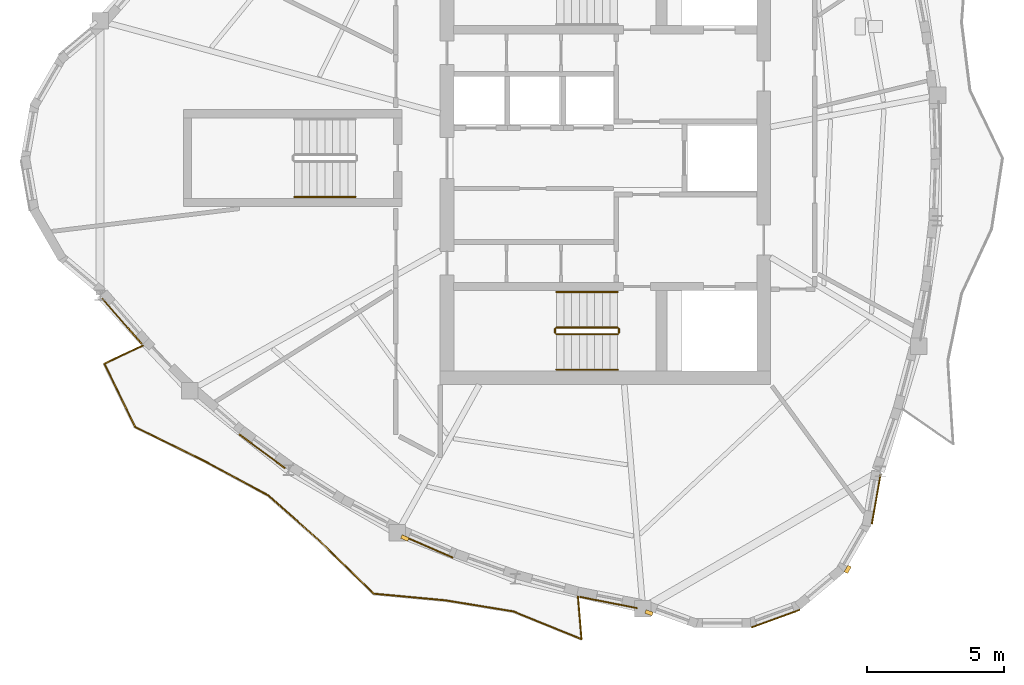
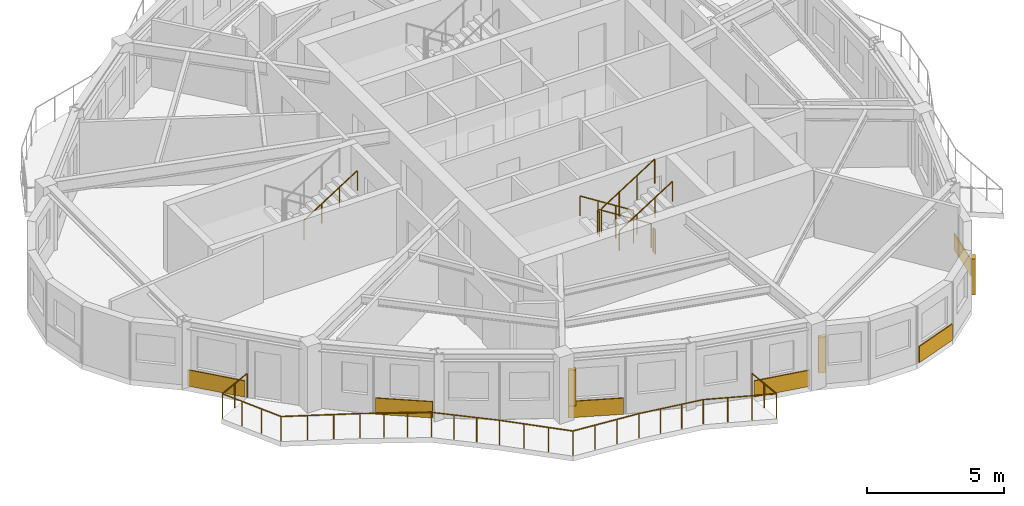
# One storey, part 8 of 11: 8 railings, 6 coverings, 3 shading devices.
"""IFC4 building model written with IfcOpenShell, lengths in metres."""

from ifc_helpers import new_model, si_unit, direction, frame, origin, origin_2d, place, context, subcontext, project, spatial, rectangle, circle, extrude, source, transform, mapped, material, layer, layer_set, type_object, element, save


model = new_model("IFC4")

# Units and contexts
model_context = context("Model", 3, precision=1e-05, world=origin(), true_north=direction((0.0, 1.0)))
body_context = subcontext(model_context, "Body", "Model", "MODEL_VIEW")
ifc_project = project(units=[si_unit("LENGTHUNIT", "METRE"), si_unit("AREAUNIT", "SQUARE_METRE"), si_unit("VOLUMEUNIT", "CUBIC_METRE"), si_unit("PLANEANGLEUNIT", "RADIAN"), si_unit("MASSUNIT", "GRAM", prefix="KILO")], contexts=[model_context])

# Site, building, storey
site_placement = place(None, origin())
site = spatial("IfcSite", under=ifc_project, at=site_placement, CompositionType="ELEMENT")
building_placement = place(site_placement, origin())
building = spatial("IfcBuilding", under=site, at=building_placement, Name="Qafzar Sky-Pleat Residences", CompositionType="ELEMENT")
storey_placement = place(building_placement, frame((0.0, 0.0, 218.0)))
storey = spatial("IfcBuildingStorey", under=building, at=storey_placement, Name="L65", CompositionType="ELEMENT", Elevation=218.0)

# Shading devices
ifc_material_1 = material(Name="Honed Riyadh limestone solar fin", Category="masonry")
ifc_layer_1 = layer(ifc_material_1, 0.139892578125)
ifc_layer_set_1 = layer_set([ifc_layer_1], Name="Honed Riyadh limestone solar fin")
shading_device_type = type_object("IfcShadingDeviceType", Name="SHD-FIN-STONE", PredefinedType="SHUTTER", material=ifc_layer_set_1)
shared_shape_1 = source(origin(), body_context, "Body", "SweptSolid", [
    extrude(rectangle(XDim=0.139892578125, YDim=0.280029296875, at=origin_2d()), origin(), (0.0, 0.0, 1.0), 1.60009765625),
])
for number, where, z_axis, x_axis, name in (
    (1, (23.0087890625, 12.0869140625, 0.599853515625), (0.0, 0.0, 1.0), (-0.398726111415, -0.917070056253, 0.0), "L65 Limestone Solar Fin 13"),
    (2, (31.947998046875, 9.351806640625, 0.599853515625), (0.0, 0.0, 1.0), (-0.342010122116, -0.939696268148, 0.0), "L65 Limestone Solar Fin 17"),
    (3, (39.225341796875, 10.939453125, 0.599853515625), (0.0, 0.0, 1.0), (0.86603181203, -0.499988900429, 0.0), "L65 Limestone Solar Fin 21"),
):
    element("IfcShadingDevice", number, at=place(storey_placement, frame(where, z_axis=z_axis, x_axis=x_axis)), inside=storey, type_object=shading_device_type, Name=name, PredefinedType="SHUTTER", context=body_context, shape_type="MappedRepresentation", body=[
        mapped(shared_shape_1, transform((0.0, 0.0, 0.0), x_axis=(1.0, 0.0, 0.0), y_axis=(0.0, 1.0, 0.0), z_axis=(0.0, 0.0, 1.0), scale=1.0)),
    ])

# Coverings
ifc_material_2 = material(Name="Honed Riyadh Tuwaiq limestone cladding", Category="masonry")
ifc_layer_2 = layer(ifc_material_2, 0.044921875)
ifc_layer_set_2 = layer_set([ifc_layer_2], Name="Honed Riyadh Tuwaiq limestone cladding")
covering_type = type_object("IfcCoveringType", Name="COV-CLAD-STONE", PredefinedType="CLADDING", material=ifc_layer_set_2)
shared_shape_2 = source(origin(), body_context, "Body", "SweptSolid", [
    extrude(rectangle(XDim=1.8291015625, YDim=0.044921875, at=origin_2d()), origin(), (0.0, 0.0, 1.0), 0.719970703125),
])
covering_1_placement = place(storey_placement, frame((40.2666015625, 13.5009765625, 0.02001953125), z_axis=(0.0, 0.0, 1.0), x_axis=(0.173687091871, 0.984800890595, 0.0)))
element("IfcCovering", 4, at=covering_1_placement, inside=storey, type_object=covering_type, Name="L65 Riyadh Limestone Spandrel Cladding 22", PredefinedType="CLADDING", context=body_context, shape_type="MappedRepresentation", body=[
    mapped(shared_shape_2, transform((0.0, 0.0, 0.0), x_axis=(1.0, 0.0, 0.0), y_axis=(0.0, 1.0, 0.0), z_axis=(0.0, 0.0, 1.0), scale=1.0)),
])
shared_shape_3 = source(origin(), body_context, "Body", "SweptSolid", [
    extrude(rectangle(XDim=1.881103515625, YDim=0.044921875, at=origin_2d()), origin(), (0.0, 0.0, 1.0), 0.719970703125),
])
covering_2_placement = place(storey_placement, frame((36.586181640625, 9.13720703125, 0.02001953125), z_axis=(0.0, 0.0, 1.0), x_axis=(0.939709584691, 0.341973531784, 0.0)))
element("IfcCovering", 5, at=covering_2_placement, inside=storey, type_object=covering_type, Name="L65 Riyadh Limestone Spandrel Cladding 19", PredefinedType="CLADDING", context=body_context, shape_type="MappedRepresentation", body=[
    mapped(shared_shape_3, transform((0.0, 0.0, 0.0), x_axis=(1.0, 0.0, 0.0), y_axis=(0.0, 1.0, 0.0), z_axis=(0.0, 0.0, 1.0), scale=1.0)),
])
shared_shape_4 = source(origin(), body_context, "Body", "SweptSolid", [
    extrude(rectangle(XDim=2.135986328125, YDim=0.044921875, at=origin_2d()), origin(), (0.0, 0.0, 1.0), 0.719970703125),
])
covering_3_placement = place(storey_placement, frame((30.468017578125, 9.726806640625, 0.02001953125), z_axis=(0.0, 0.0, 1.0), x_axis=(0.981228323403, -0.192849623678, 0.0)))
element("IfcCovering", 6, at=covering_3_placement, inside=storey, type_object=covering_type, Name="L65 Riyadh Limestone Spandrel Cladding 16", PredefinedType="CLADDING", context=body_context, shape_type="MappedRepresentation", body=[
    mapped(shared_shape_4, transform((0.0, 0.0, 0.0), x_axis=(1.0, 0.0, 0.0), y_axis=(0.0, 1.0, 0.0), z_axis=(0.0, 0.0, 1.0), scale=1.0)),
])

# Railing
ifc_material_3 = material(Name="Laminated glass and bronze steel balustrade", Category="steel")
railing_type_1 = type_object("IfcRailingType", Name="RAIL-BAL-1100", PredefinedType="BALUSTRADE", material=ifc_material_3)
shared_shape_5 = source(origin(), body_context, "Body", "SweptSolid", [
    extrude(circle(Radius=0.02392578125, at=origin_2d()), frame((0.0, 0.0, 1.076171875), z_axis=(-0.904790644591, -0.425856653654, 0.0), x_axis=(0.425856653654, -0.904790644591, 0.0)), (0.0, 0.0, 1.0), 1.57763671875),
    extrude(circle(Radius=0.02392578125, at=origin_2d()), frame((-1.427490234375, -0.671875, 1.076171875), z_axis=(0.437455374248, -0.899240121181, 0.0), x_axis=(0.899240121181, 0.437455374248, 0.0)), (0.0, 0.0, 1.0), 2.578857421875),
    extrude(circle(Radius=0.02392578125, at=origin_2d()), frame((-0.29931640625, -2.990966796875, 1.076171875), z_axis=(0.897107090323, -0.441813160162, 0.0), x_axis=(0.441813160162, 0.897107090323, 0.0)), (0.0, 0.0, 1.0), 2.879638671875),
    extrude(circle(Radius=0.02392578125, at=origin_2d()), frame((2.283935546875, -4.26318359375, 1.076171875), z_axis=(0.880344319941, -0.474335196193, 0.0), x_axis=(0.474335196193, 0.880344319941, 0.0)), (0.0, 0.0, 1.0), 2.59765625),
    extrude(circle(Radius=0.02392578125, at=origin_2d()), frame((4.57080078125, -5.495361328125, 1.076171875), z_axis=(0.749725239558, -0.661749246445, 0.0), x_axis=(0.661749246445, 0.749725239558, 0.0)), (0.0, 0.0, 1.0), 2.53076171875),
    extrude(circle(Radius=0.02392578125, at=origin_2d()), frame((6.46826171875, -7.170166015625, 1.076171875), z_axis=(0.714863884807, -0.6992636314, 0.0), x_axis=(0.6992636314, 0.714863884807, 0.0)), (0.0, 0.0, 1.0), 2.75439453125),
    extrude(circle(Radius=0.02392578125, at=origin_2d()), frame((8.437255859375, -9.09619140625, 1.076171875), z_axis=(0.995744742479, -0.092154261023, 0.0), x_axis=(0.092154261023, 0.995744742479, 0.0)), (0.0, 0.0, 1.0), 2.65185546875),
    extrude(circle(Radius=0.02392578125, at=origin_2d()), frame((11.077880859375, -9.340576171875, 1.076171875), z_axis=(0.986916711973, -0.16123090159, 0.0), x_axis=(0.16123090159, 0.986916711973, 0.0)), (0.0, 0.0, 1.0), 2.5),
    extrude(circle(Radius=0.02392578125, at=origin_2d()), frame((13.545166015625, -9.74365234375, 1.076171875), z_axis=(0.926402453337, -0.376534851576, 0.0), x_axis=(0.376534851576, 0.926402453337, 0.0)), (0.0, 0.0, 1.0), 2.697265625),
    extrude(circle(Radius=0.02392578125, at=origin_2d()), frame((16.0439453125, -10.75927734375, 1.076171875), z_axis=(-0.083544817764, 0.996504020777, 0.0), x_axis=(-0.996504020777, -0.083544817764, 0.0)), (0.0, 0.0, 1.0), 1.578125),
    extrude(circle(Radius=0.02099609375, at=origin_2d()), origin(), (0.0, 0.0, 1.0), 1.052001953125),
    extrude(circle(Radius=0.02099609375, at=origin_2d()), frame((-0.7138671875, -0.3359375, 0.0)), (0.0, 0.0, 1.0), 1.052001953125),
    extrude(circle(Radius=0.02099609375, at=origin_2d()), frame((-1.427490234375, -0.671875, 0.0)), (0.0, 0.0, 1.0), 1.052001953125),
    extrude(circle(Radius=0.02099609375, at=origin_2d()), frame((-1.051513671875, -1.44482421875, 0.0)), (0.0, 0.0, 1.0), 1.052001953125),
    extrude(circle(Radius=0.02099609375, at=origin_2d()), frame((-0.67529296875, -2.218017578125, 0.0)), (0.0, 0.0, 1.0), 1.052001953125),
    extrude(circle(Radius=0.02099609375, at=origin_2d()), frame((-0.29931640625, -2.990966796875, 0.0)), (0.0, 0.0, 1.0), 1.052001953125),
    extrude(circle(Radius=0.02099609375, at=origin_2d()), frame((0.561767578125, -3.4150390625, 0.0)), (0.0, 0.0, 1.0), 1.052001953125),
    extrude(circle(Radius=0.02099609375, at=origin_2d()), frame((1.4228515625, -3.839111328125, 0.0)), (0.0, 0.0, 1.0), 1.052001953125),
    extrude(circle(Radius=0.02099609375, at=origin_2d()), frame((2.283935546875, -4.26318359375, 0.0)), (0.0, 0.0, 1.0), 1.052001953125),
    extrude(circle(Radius=0.02099609375, at=origin_2d()), frame((3.046142578125, -4.673828125, 0.0)), (0.0, 0.0, 1.0), 1.052001953125),
    extrude(circle(Radius=0.02099609375, at=origin_2d()), frame((3.80859375, -5.084716796875, 0.0)), (0.0, 0.0, 1.0), 1.052001953125),
    extrude(circle(Radius=0.02099609375, at=origin_2d()), frame((4.57080078125, -5.495361328125, 0.0)), (0.0, 0.0, 1.0), 1.052001953125),
    extrude(circle(Radius=0.02099609375, at=origin_2d()), frame((5.203369140625, -6.0537109375, 0.0)), (0.0, 0.0, 1.0), 1.052001953125),
    extrude(circle(Radius=0.02099609375, at=origin_2d()), frame((5.835693359375, -6.61181640625, 0.0)), (0.0, 0.0, 1.0), 1.052001953125),
    extrude(circle(Radius=0.02099609375, at=origin_2d()), frame((6.46826171875, -7.170166015625, 0.0)), (0.0, 0.0, 1.0), 1.052001953125),
    extrude(circle(Radius=0.02099609375, at=origin_2d()), frame((7.12451171875, -7.812255859375, 0.0)), (0.0, 0.0, 1.0), 1.052001953125),
    extrude(circle(Radius=0.02099609375, at=origin_2d()), frame((7.781005859375, -8.4541015625, 0.0)), (0.0, 0.0, 1.0), 1.052001953125),
    extrude(circle(Radius=0.02099609375, at=origin_2d()), frame((8.437255859375, -9.09619140625, 0.0)), (0.0, 0.0, 1.0), 1.052001953125),
    extrude(circle(Radius=0.02099609375, at=origin_2d()), frame((9.3173828125, -9.177734375, 0.0)), (0.0, 0.0, 1.0), 1.052001953125),
    extrude(circle(Radius=0.02099609375, at=origin_2d()), frame((10.19775390625, -9.259033203125, 0.0)), (0.0, 0.0, 1.0), 1.052001953125),
    extrude(circle(Radius=0.02099609375, at=origin_2d()), frame((11.077880859375, -9.340576171875, 0.0)), (0.0, 0.0, 1.0), 1.052001953125),
    extrude(circle(Radius=0.02099609375, at=origin_2d()), frame((11.900390625, -9.474853515625, 0.0)), (0.0, 0.0, 1.0), 1.052001953125),
    extrude(circle(Radius=0.02099609375, at=origin_2d()), frame((12.72265625, -9.609375, 0.0)), (0.0, 0.0, 1.0), 1.052001953125),
    extrude(circle(Radius=0.02099609375, at=origin_2d()), frame((13.545166015625, -9.74365234375, 0.0)), (0.0, 0.0, 1.0), 1.052001953125),
    extrude(circle(Radius=0.02099609375, at=origin_2d()), frame((14.378173828125, -10.082275390625, 0.0)), (0.0, 0.0, 1.0), 1.052001953125),
    extrude(circle(Radius=0.02099609375, at=origin_2d()), frame((15.2109375, -10.420654296875, 0.0)), (0.0, 0.0, 1.0), 1.052001953125),
    extrude(circle(Radius=0.02099609375, at=origin_2d()), frame((16.0439453125, -10.75927734375, 0.0)), (0.0, 0.0, 1.0), 1.052001953125),
    extrude(circle(Radius=0.02099609375, at=origin_2d()), frame((15.97802734375, -9.97314453125, 0.0)), (0.0, 0.0, 1.0), 1.052001953125),
    extrude(circle(Radius=0.02099609375, at=origin_2d()), frame((15.912109375, -9.186767578125, 0.0)), (0.0, 0.0, 1.0), 1.052001953125),
])
railing_1_placement = place(storey_placement, frame((13.43408203125, 19.144775390625, 0.0)))
element("IfcRailing", 7, at=railing_1_placement, inside=storey, type_object=railing_type_1, Name="L65 Pleated Balcony 3 Balustrade", PredefinedType="BALUSTRADE", context=body_context, shape_type="MappedRepresentation", body=[
    mapped(shared_shape_5, transform((0.0, 0.0, 0.0), x_axis=(1.0, 0.0, 0.0), y_axis=(0.0, 1.0, 0.0), z_axis=(0.0, 0.0, 1.0), scale=1.0)),
])

# Coverings
shared_shape_6 = source(origin(), body_context, "Body", "SweptSolid", [
    extrude(rectangle(XDim=2.19921875, YDim=0.044921875, at=origin_2d()), origin(), (0.0, 0.0, 1.0), 0.719970703125),
])
covering_4_placement = place(storey_placement, frame((12.64990234375, 20.027099609375, 0.02001953125), z_axis=(0.0, 0.0, 1.0), x_axis=(0.657603089967, -0.753364570487, 0.0)))
element("IfcCovering", 8, at=covering_4_placement, inside=storey, type_object=covering_type, Name="L65 Riyadh Limestone Spandrel Cladding 7", PredefinedType="CLADDING", context=body_context, shape_type="MappedRepresentation", body=[
    mapped(shared_shape_6, transform((0.0, 0.0, 0.0), x_axis=(1.0, 0.0, 0.0), y_axis=(0.0, 1.0, 0.0), z_axis=(0.0, 0.0, 1.0), scale=1.0)),
])
shared_shape_7 = source(origin(), body_context, "Body", "SweptSolid", [
    extrude(rectangle(XDim=2.09521484375, YDim=0.044921875, at=origin_2d()), origin(), (0.0, 0.0, 1.0), 0.719970703125),
])
covering_5_placement = place(storey_placement, frame((17.788818359375, 15.260986328125, 0.02001953125), z_axis=(0.0, 0.0, 1.0), x_axis=(0.803818893244, -0.594874093287, 0.0)))
element("IfcCovering", 9, at=covering_5_placement, inside=storey, type_object=covering_type, Name="L65 Riyadh Limestone Spandrel Cladding 10", PredefinedType="CLADDING", context=body_context, shape_type="MappedRepresentation", body=[
    mapped(shared_shape_7, transform((0.0, 0.0, 0.0), x_axis=(1.0, 0.0, 0.0), y_axis=(0.0, 1.0, 0.0), z_axis=(0.0, 0.0, 1.0), scale=1.0)),
])
shared_shape_8 = source(origin(), body_context, "Body", "SweptSolid", [
    extrude(rectangle(XDim=2.031982421875, YDim=0.044921875, at=origin_2d()), origin(), (0.0, 0.0, 1.0), 0.719970703125),
])
covering_6_placement = place(storey_placement, frame((23.83740234375, 11.7734375, 0.02001953125), z_axis=(0.0, 0.0, 1.0), x_axis=(0.91707991396, -0.398703437923, 0.0)))
element("IfcCovering", 10, at=covering_6_placement, inside=storey, type_object=covering_type, Name="L65 Riyadh Limestone Spandrel Cladding 13", PredefinedType="CLADDING", context=body_context, shape_type="MappedRepresentation", body=[
    mapped(shared_shape_8, transform((0.0, 0.0, 0.0), x_axis=(1.0, 0.0, 0.0), y_axis=(0.0, 1.0, 0.0), z_axis=(0.0, 0.0, 1.0), scale=1.0)),
])

# Railings
ifc_material_4 = material(Name="Painted Steel S355 stair guardrail", Category="steel")
railing_type_2 = type_object("IfcRailingType", Name="RAIL-STAIR-GUARD", PredefinedType="GUARDRAIL", material=ifc_material_4)
shared_shape_9 = source(origin(), body_context, "Body", "SweptSolid", [
    extrude(circle(Radius=0.02392578125, at=origin_2d()), frame((0.0, 0.0, 1.076171875), z_axis=(0.0, -1.0, 0.0), x_axis=(1.0, 0.0, 0.0)), (0.0, 0.0, 1.0), 0.14990234375),
    extrude(circle(Radius=0.02099609375, at=origin_2d()), origin(), (0.0, 0.0, 1.0), 1.052001953125),
    extrude(circle(Radius=0.02099609375, at=origin_2d()), frame((0.0, -0.14990234375, 0.0)), (0.0, 0.0, 1.0), 1.052001953125),
])
for number, where, name in (
    (11, (28.510009765625, 19.75, 1.60009765625), "L65 ST1 stair guard 2"),
    (12, (30.85009765625, 19.75, 0.0), "L65 ST1 stair guard 4"),
):
    element("IfcRailing", number, at=place(storey_placement, frame(where)), inside=storey, type_object=railing_type_2, Name=name, PredefinedType="GUARDRAIL", context=body_context, shape_type="MappedRepresentation", body=[
        mapped(shared_shape_9, transform((0.0, 0.0, 0.0), x_axis=(1.0, 0.0, 0.0), y_axis=(0.0, 1.0, 0.0), z_axis=(0.0, 0.0, 1.0), scale=1.0)),
    ])
shared_shape_10 = source(origin(), body_context, "Body", "SweptSolid", [
    extrude(circle(Radius=0.02392578125, at=origin_2d()), frame((0.0, 0.0, 1.076171875), z_axis=(0.8442293374, 0.0, 0.53598211339), x_axis=(0.0, 1.0, 0.0)), (0.0, 0.0, 1.0), 2.6533203125),
    extrude(circle(Radius=0.02099609375, at=origin_2d()), origin(), (0.0, 0.0, 1.0), 1.052001953125),
    extrude(circle(Radius=0.02099609375, at=origin_2d()), frame((0.74658203125, 0.0, 0.47412109375)), (0.0, 0.0, 1.0), 1.052001953125),
    extrude(circle(Radius=0.02099609375, at=origin_2d()), frame((1.493408203125, 0.0, 0.947998046875)), (0.0, 0.0, 1.0), 1.052001953125),
    extrude(circle(Radius=0.02099609375, at=origin_2d()), frame((2.239990234375, 0.0, 1.422119140625)), (0.0, 0.0, 1.0), 1.052001953125),
])
railing_2_placement = place(storey_placement, frame((28.56005859375, 19.550048828125, 1.77783203125)))
element("IfcRailing", 13, at=railing_2_placement, inside=storey, type_object=railing_type_2, Name="L65 ST1 stair guard 3", PredefinedType="GUARDRAIL", context=body_context, shape_type="MappedRepresentation", body=[
    mapped(shared_shape_10, transform((0.0, 0.0, 0.0), x_axis=(1.0, 0.0, 0.0), y_axis=(0.0, 1.0, 0.0), z_axis=(0.0, 0.0, 1.0), scale=1.0)),
])
ifc_material_5 = material(Name="Brushed stainless steel handrail", Category="steel")
railing_type_3 = type_object("IfcRailingType", Name="RAIL-STAIR-HAND", PredefinedType="HANDRAIL", material=ifc_material_5)
shared_shape_11 = source(origin(), body_context, "Body", "SweptSolid", [
    extrude(circle(Radius=0.02392578125, at=origin_2d()), frame((0.0, 0.0, 0.8759765625), z_axis=(0.8442293374, 0.0, 0.53598211339), x_axis=(0.0, 1.0, 0.0)), (0.0, 0.0, 1.0), 2.6533203125),
    extrude(circle(Radius=0.02099609375, at=origin_2d()), origin(), (0.0, 0.0, 1.0), 0.851806640625),
    extrude(circle(Radius=0.02099609375, at=origin_2d()), frame((0.74658203125, 0.0, 0.47412109375)), (0.0, 0.0, 1.0), 0.851806640625),
    extrude(circle(Radius=0.02099609375, at=origin_2d()), frame((1.493408203125, 0.0, 0.947998046875)), (0.0, 0.0, 1.0), 0.851806640625),
    extrude(circle(Radius=0.02099609375, at=origin_2d()), frame((2.239990234375, 0.0, 1.422119140625)), (0.0, 0.0, 1.0), 0.851806640625),
])
for number, where, name in (
    (14, (28.56005859375, 18.25, 1.77783203125), "L65 ST1 stair handrail 2"),
    (15, (18.9599609375, 24.574951171875, 1.77783203125), "L65 ST3 stair handrail 2"),
):
    element("IfcRailing", number, at=place(storey_placement, frame(where)), inside=storey, type_object=railing_type_3, Name=name, PredefinedType="HANDRAIL", context=body_context, shape_type="MappedRepresentation", body=[
        mapped(shared_shape_11, transform((0.0, 0.0, 0.0), x_axis=(1.0, 0.0, 0.0), y_axis=(0.0, 1.0, 0.0), z_axis=(0.0, 0.0, 1.0), scale=1.0)),
    ])
shared_shape_12 = source(origin(), body_context, "Body", "SweptSolid", [
    extrude(circle(Radius=0.02392578125, at=origin_2d()), frame((0.0, 0.0, 1.076171875), z_axis=(-0.84418770128, 0.0, 0.536047689118), x_axis=(0.0, -1.0, 0.0)), (0.0, 0.0, 1.0), 2.6533203125),
    extrude(circle(Radius=0.02099609375, at=origin_2d()), origin(), (0.0, 0.0, 1.0), 1.052001953125),
    extrude(circle(Radius=0.02099609375, at=origin_2d()), frame((-0.74658203125, 0.0, 0.47412109375)), (0.0, 0.0, 1.0), 1.052001953125),
    extrude(circle(Radius=0.02099609375, at=origin_2d()), frame((-1.493408203125, 0.0, 0.9482421875)), (0.0, 0.0, 1.0), 1.052001953125),
    extrude(circle(Radius=0.02099609375, at=origin_2d()), frame((-2.239990234375, 0.0, 1.42236328125)), (0.0, 0.0, 1.0), 1.052001953125),
])
railing_3_placement = place(storey_placement, frame((30.800048828125, 19.800048828125, 0.177734375)))
element("IfcRailing", 16, at=railing_3_placement, inside=storey, type_object=railing_type_2, Name="L65 ST1 stair guard 1", PredefinedType="GUARDRAIL", context=body_context, shape_type="MappedRepresentation", body=[
    mapped(shared_shape_12, transform((0.0, 0.0, 0.0), x_axis=(1.0, 0.0, 0.0), y_axis=(0.0, 1.0, 0.0), z_axis=(0.0, 0.0, 1.0), scale=1.0)),
])
shared_shape_13 = source(origin(), body_context, "Body", "SweptSolid", [
    extrude(circle(Radius=0.02392578125, at=origin_2d()), frame((0.0, 0.0, 0.8759765625), z_axis=(-0.84418770128, 0.0, 0.536047689118), x_axis=(0.0, -1.0, 0.0)), (0.0, 0.0, 1.0), 2.6533203125),
    extrude(circle(Radius=0.02099609375, at=origin_2d()), origin(), (0.0, 0.0, 1.0), 0.851806640625),
    extrude(circle(Radius=0.02099609375, at=origin_2d()), frame((-0.74658203125, 0.0, 0.47412109375)), (0.0, 0.0, 1.0), 0.851806640625),
    extrude(circle(Radius=0.02099609375, at=origin_2d()), frame((-1.493408203125, 0.0, 0.9482421875)), (0.0, 0.0, 1.0), 0.851806640625),
    extrude(circle(Radius=0.02099609375, at=origin_2d()), frame((-2.239990234375, 0.0, 1.42236328125)), (0.0, 0.0, 1.0), 0.851806640625),
])
railing_4_placement = place(storey_placement, frame((30.800048828125, 21.10009765625, 0.177734375)))
element("IfcRailing", 17, at=railing_4_placement, inside=storey, type_object=railing_type_3, Name="L65 ST1 stair handrail 1", PredefinedType="HANDRAIL", context=body_context, shape_type="MappedRepresentation", body=[
    mapped(shared_shape_13, transform((0.0, 0.0, 0.0), x_axis=(1.0, 0.0, 0.0), y_axis=(0.0, 1.0, 0.0), z_axis=(0.0, 0.0, 1.0), scale=1.0)),
])

save(model, "model.ifc")
